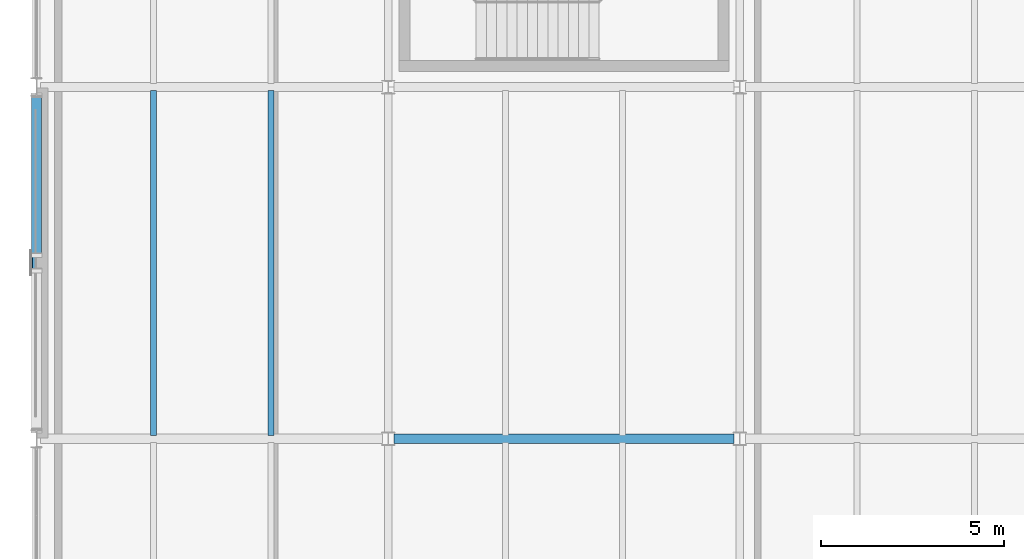
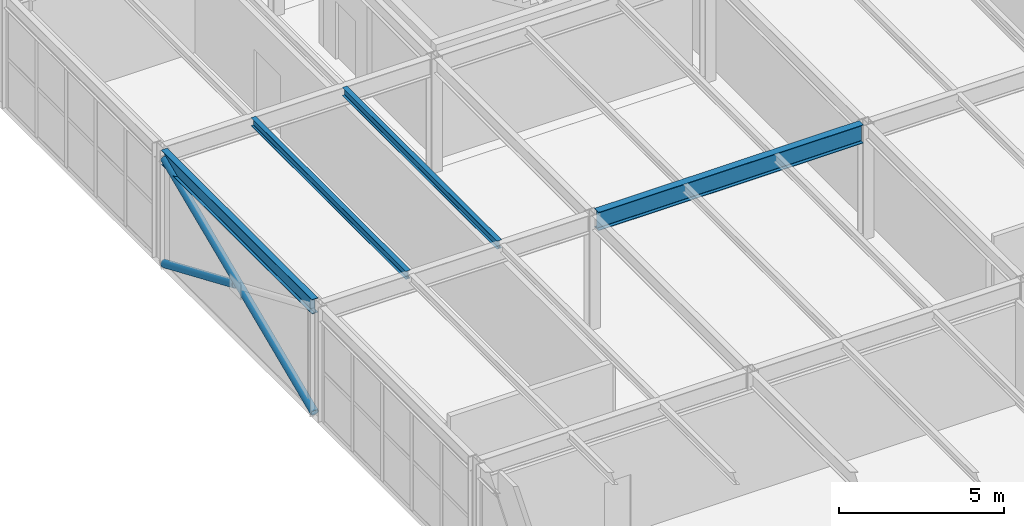
# One storey, part 23 of 170: 4 beams, 2 members.
"""IFC4 building model written with IfcOpenShell, lengths in metres."""

from ifc_helpers import new_model, si_unit, direction, frame, origin, origin_2d, place, context, subcontext, project, spatial, hollow_circle, i_section, extrude, material, material_profile, profile_set, type_object, element, save


model = new_model("IFC4")

# Units and contexts
model_context = context("Model", 3, precision=1e-05, world=origin(), true_north=direction((0.0, 1.0)))
body_context = subcontext(model_context, "Body", "Model", "MODEL_VIEW")
ifc_project = project(units=[si_unit("LENGTHUNIT", "METRE"), si_unit("AREAUNIT", "SQUARE_METRE"), si_unit("VOLUMEUNIT", "CUBIC_METRE"), si_unit("PLANEANGLEUNIT", "RADIAN"), si_unit("MASSUNIT", "GRAM", prefix="KILO")], contexts=[model_context])

# Site, building, storey
site_placement = place(None, origin())
site = spatial("IfcSite", under=ifc_project, at=site_placement, CompositionType="ELEMENT")
building_placement = place(site_placement, origin())
building = spatial("IfcBuilding", under=site, at=building_placement, Name="Coralgate Yard Interchange", CompositionType="ELEMENT")
storey_placement = place(building_placement, frame((0.0, 0.0, 6.0)))
storey = spatial("IfcBuildingStorey", under=building, at=storey_placement, Name="L01", CompositionType="ELEMENT", Elevation=6.0)

# Beams
ifc_material = material(Name="Structural steel S355J2", Category="steel")
ifc_material_profile_1 = material_profile(ifc_material, i_section(OverallWidth=0.209228515625, OverallDepth=0.533203125, WebThickness=0.010009765625, FlangeThickness=0.015625, FilletRadius=0.0126953125, at=origin_2d()), Name="UB 533x210x92")
ifc_profile_set_1 = profile_set([ifc_material_profile_1], Name="Structural steel S355J2")
beam_type_1 = type_object("IfcBeamType", Name="BM-SB-1", PredefinedType="BEAM", material=ifc_profile_set_1)
beam_1_placement = place(storey_placement, frame((0.0, 19.419921875, 3.9833984375), z_axis=(0.0, 1.0, 0.0), x_axis=(-1.0, 0.0, 0.0)))
element("IfcBeam", 1, at=beam_1_placement, inside=storey, type_object=beam_type_1, Name="L01 primary grid girder X0 Y2-3", PredefinedType="BEAM", context=body_context, shape_type="SweptSolid", body=[
    extrude(i_section(OverallWidth=0.209228515625, OverallDepth=0.533203125, WebThickness=0.010009765625, FlangeThickness=0.015625, FilletRadius=0.0126953125, at=origin_2d()), origin(), (0.0, 0.0, 1.0), 9.16015625),
])
ifc_material_profile_2 = material_profile(ifc_material, i_section(OverallWidth=0.253662109375, OverallDepth=0.68359375, WebThickness=0.012451171875, FlangeThickness=0.01904296875, FilletRadius=0.01513671875, at=origin_2d()), Name="UB 686x254x140")
ifc_profile_set_2 = profile_set([ifc_material_profile_2], Name="Structural steel S355J2")
beam_type_2 = type_object("IfcBeamType", Name="BM-SG-4", PredefinedType="BEAM", material=ifc_profile_set_2)
beam_2_placement = place(storey_placement, frame((9.75634765625, 19.199951171875, 3.908203125), z_axis=(1.0, 0.0, 0.0), x_axis=(0.0, 1.0, 0.0)))
element("IfcBeam", 2, at=beam_2_placement, inside=storey, type_object=beam_type_2, Name="L01 primary grid beam Y2 X1-2", PredefinedType="BEAM", context=body_context, shape_type="SweptSolid", body=[
    extrude(i_section(OverallWidth=0.253662109375, OverallDepth=0.68359375, WebThickness=0.012451171875, FlangeThickness=0.01904296875, FilletRadius=0.01513671875, at=origin_2d()), origin(), (0.0, 0.0, 1.0), 9.287353515625),
])
ifc_material_profile_3 = material_profile(ifc_material, i_section(OverallWidth=0.1650390625, OverallDepth=0.303466796875, WebThickness=0.006103515625, FlangeThickness=0.01025390625, FilletRadius=0.0087890625, at=origin_2d()), Name="UB 305x165x40")
ifc_profile_set_3 = profile_set([ifc_material_profile_3], Name="Structural steel S355J2")
beam_type_3 = type_object("IfcBeamType", Name="BM-SJ-1", PredefinedType="JOIST", material=ifc_profile_set_3)
for number, where, z_axis, x_axis, name in (
    (3, (3.199951171875, 19.296875, 4.098388671875), (0.0, 1.0, 0.0), (-1.0, 0.0, 0.0), "L01 composite floor joist 0-2-1"),
    (4, (6.39990234375, 19.296875, 4.098388671875), (0.0, 1.0, 0.0), (-1.0, 0.0, 0.0), "L01 composite floor joist 0-2-2"),
):
    element("IfcBeam", number, at=place(storey_placement, frame(where, z_axis=z_axis, x_axis=x_axis)), inside=storey, type_object=beam_type_3, Name=name, PredefinedType="JOIST", context=body_context, shape_type="SweptSolid", body=[
        extrude(i_section(OverallWidth=0.1650390625, OverallDepth=0.303466796875, WebThickness=0.006103515625, FlangeThickness=0.01025390625, FilletRadius=0.0087890625, at=origin_2d()), origin(), (0.0, 0.0, 1.0), 9.40625),
    ])

# Members
ifc_material_profile_4 = material_profile(ifc_material, hollow_circle(Radius=0.136474609375, WallThickness=0.010009765625, at=origin_2d()), Name="CHS 273x10")
ifc_profile_set_4 = profile_set([ifc_material_profile_4], Name="Structural steel S355J2")
member_type = type_object("IfcMemberType", Name="MB-BR-1", PredefinedType="BRACE", material=ifc_profile_set_4)
member_1_placement = place(storey_placement, frame((0.0, 19.43994140625, 0.02001953125), z_axis=(0.0, 0.919097936952, 0.394029164265), x_axis=(-1.0, 0.0, 0.0)))
element("IfcMember", 5, at=member_1_placement, inside=storey, type_object=member_type, Name="L01 continuous concentric X-brace W-A", PredefinedType="BRACE", context=body_context, shape_type="SweptSolid", body=[
    extrude(hollow_circle(Radius=0.136474609375, WallThickness=0.010009765625, at=origin_2d()), origin(), (0.0, 0.0, 1.0), 9.9228515625),
])
member_2_placement = place(storey_placement, frame((0.0, 28.56005859375, 0.02001953125), z_axis=(0.0, -0.91910492298, 0.394012868512), x_axis=(1.0, 0.0, 0.0)))
element("IfcMember", 6, at=member_2_placement, inside=storey, type_object=member_type, Name="L01 split concentric X-brace W-B1", PredefinedType="BRACE", context=body_context, shape_type="SweptSolid", body=[
    extrude(hollow_circle(Radius=0.136474609375, WallThickness=0.010009765625, at=origin_2d()), origin(), (0.0, 0.0, 1.0), 4.723388671875),
])

save(model, "model.ifc")
